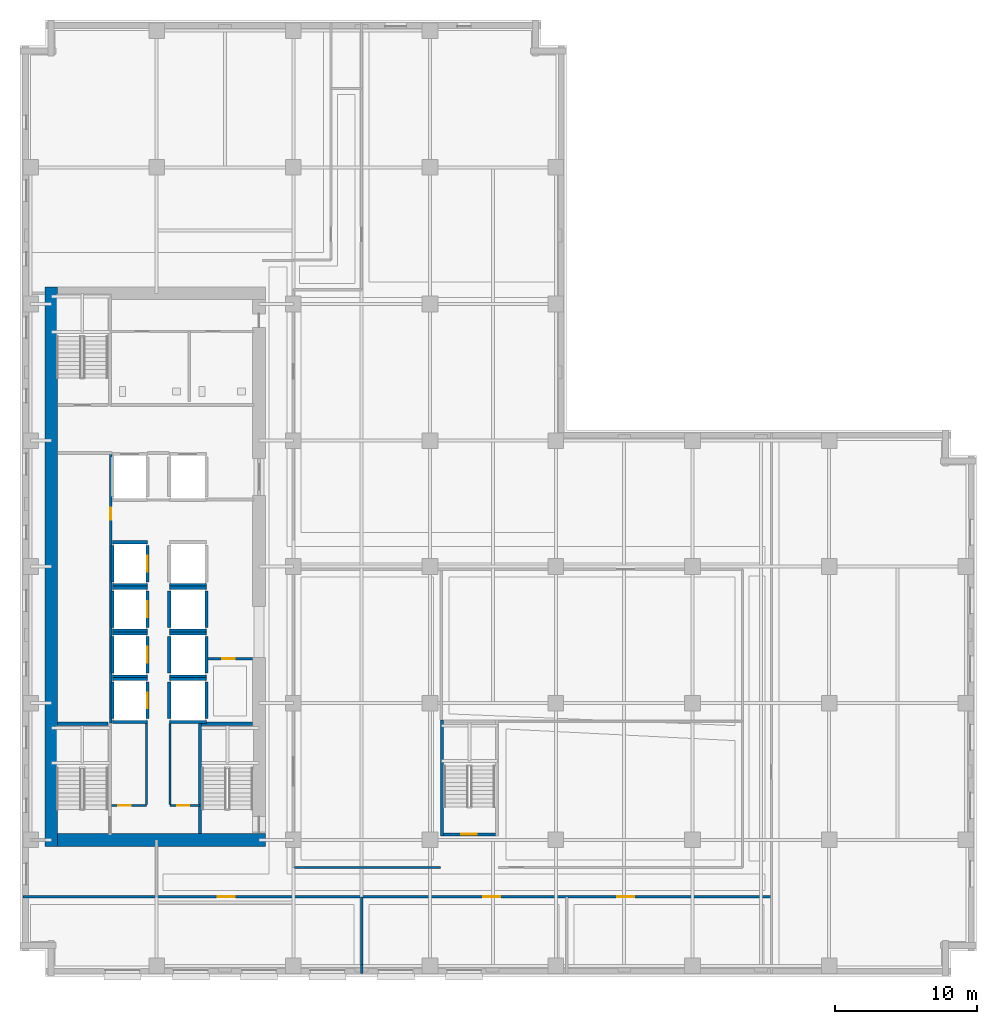
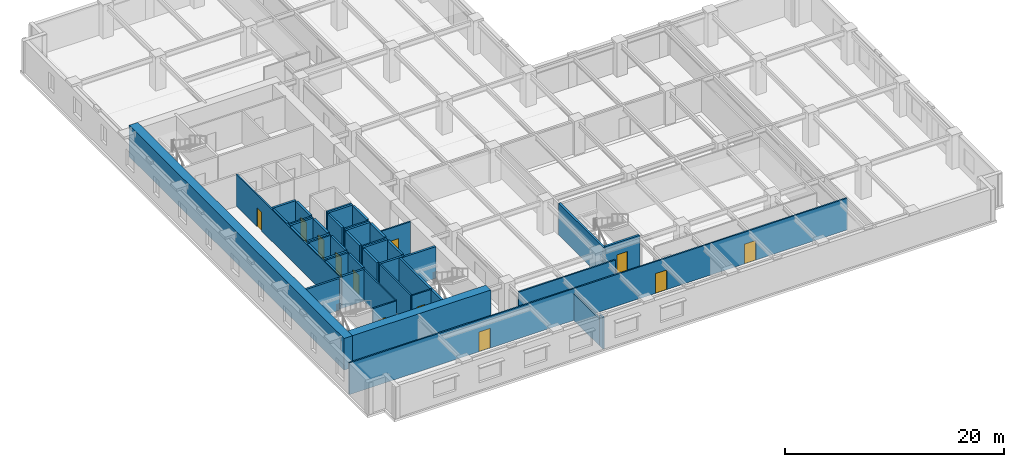
# One storey, part 4 of 14: 46 walls, 12 doors, 12 openings.
"""IFC4 building model written with IfcOpenShell, lengths in metres."""

from ifc_helpers import new_model, si_unit, direction, frame, frame_2d, origin, place, context, subcontext, project, spatial, rectangle, extrude, material, layer, layer_set, type_object, element, fill, save


model = new_model("IFC4")

# Units and contexts
model_context = context("Model", 3, precision=1e-05, world=origin(), true_north=direction((0.0, 1.0)))
body_context = subcontext(model_context, "Body", "Model", "MODEL_VIEW")
ifc_project = project(units=[si_unit("LENGTHUNIT", "METRE"), si_unit("AREAUNIT", "SQUARE_METRE"), si_unit("VOLUMEUNIT", "CUBIC_METRE"), si_unit("PLANEANGLEUNIT", "RADIAN"), si_unit("MASSUNIT", "GRAM", prefix="KILO")], contexts=[model_context])

# Site, building, storey
site_placement = place(None, origin())
site = spatial("IfcSite", under=ifc_project, at=site_placement, CompositionType="ELEMENT")
building_placement = place(site_placement, origin())
building = spatial("IfcBuilding", under=site, at=building_placement, Name="Norrvale University Quadrangle", CompositionType="ELEMENT")
storey_placement = place(building_placement, frame((0.0, 0.0, 73.60009765625)))
storey = spatial("IfcBuildingStorey", under=building, at=storey_placement, Name="L18", CompositionType="ELEMENT", Elevation=73.60009765625)

# Walls
ifc_material_1 = material(Name="Concrete C80/95", Category="concrete")
ifc_layer_1 = layer(ifc_material_1, 0.89990234375, Name="Concrete C80/95")
ifc_layer_set_1 = layer_set([ifc_layer_1], Name="Concrete C80/95")
wall_type_1 = type_object("IfcWallType", Name="Wall Core 900", PredefinedType="SHEAR", material=ifc_layer_set_1)
wall_1_placement = place(storey_placement, frame((2.64990234375, 9.60009765625, 0.0), z_axis=(0.0, 0.0, 1.0), x_axis=(1.0, 0.0, 0.0)))
element("IfcWall", 1, at=wall_1_placement, inside=storey, type_object=wall_type_1, Name="Tower Core Shear Wall L18-S", PredefinedType="SHEAR", context=body_context, shape_type="SweptSolid", body=[
    extrude(rectangle(XDim=14.60009765625, YDim=0.89990234375, at=frame_2d((7.300048828125, 0.0))), origin(), (0.0, 0.0, 1.0), 3.539794921875),
])
wall_2_placement = place(storey_placement, frame((2.199951171875, 9.14990234375, 0.0), z_axis=(0.0, 0.0, 1.0), x_axis=(0.0, 1.0, 0.0)))
element("IfcWall", 2, at=wall_2_placement, inside=storey, type_object=wall_type_1, Name="Tower Core Shear Wall L18-W", PredefinedType="SHEAR", context=body_context, shape_type="SweptSolid", body=[
    extrude(rectangle(XDim=39.300048828125, YDim=0.89990234375, at=frame_2d((19.64990234375, 0.0))), origin(), (0.0, 0.0, 1.0), 3.539794921875),
])

# Wall, opening, door
ifc_material_2 = material(Name="Fire-Rated Gypsum Stud Partition")
ifc_layer_2 = layer(ifc_material_2, 0.14990234375, Name="Fire-Rated Gypsum Stud Partition")
ifc_layer_set_2 = layer_set([ifc_layer_2], Name="Fire-Rated Gypsum Stud Partition")
wall_type_2 = type_object("IfcWallType", Name="Wall Gypsum Corridor 150", PredefinedType="PARTITIONING", material=ifc_layer_set_2)
wall_3_placement = place(storey_placement, frame((6.419921875, 12.02001953125, 0.0), z_axis=(0.0, 0.0, 1.0), x_axis=(1.0, 0.0, 0.0)))
wall_3 = element("IfcWall", 3, at=wall_3_placement, inside=storey, type_object=wall_type_2, Name="Interior Partition WL-L18-SC-NL", PredefinedType="PARTITIONING", context=body_context, shape_type="SweptSolid", body=[
    extrude(rectangle(XDim=2.47998046875, YDim=0.14990234375, at=frame_2d((1.239990234375, 0.0))), origin(), (0.0, 0.0, 1.0), 3.539794921875),
])
opening_1_placement = place(wall_3_placement, frame((0.5, 0.0, 0.0)))
opening_1 = element("IfcOpeningElement", 4, at=opening_1_placement, cuts=wall_3, Name="Opening D10", PredefinedType="OPENING", context=body_context, shape_type="SweptSolid", body=[
    extrude(rectangle(XDim=0.85009765625, YDim=2.10009765625, at=frame_2d((0.425048828125, 1.050048828125))), frame((0.0, 0.0869140625, 0.0), z_axis=(0.0, -1.0, 0.0), x_axis=(1.0, 0.0, 0.0)), (0.0, 0.0, 1.0), 0.173828125),
])
ifc_material_3 = material(Name="Hollow Steel 350W Riser Fire Door", Category="steel")
door_type_1 = type_object("IfcDoorType", Name="Door Riser 850x2100", OperationType="NOTDEFINED", PredefinedType="DOOR", material=ifc_material_3)
door_1_placement = place(opening_1_placement, origin())
door_1 = element("IfcDoor", 5, at=door_1_placement, inside=storey, type_object=door_type_1, Name="Door Riser 850x2100 DR-L18-ELEC", OperationType="SINGLE_SWING_LEFT", OverallHeight=2.10009765625, OverallWidth=0.85009765625, PredefinedType="DOOR", context=body_context, shape_type="SweptSolid", body=[
    extrude(rectangle(XDim=0.85009765625, YDim=2.10009765625, at=frame_2d((0.425048828125, 1.050048828125))), frame((0.0, 0.02490234375, 0.0), z_axis=(0.0, -1.0, 0.0), x_axis=(1.0, 0.0, 0.0)), (0.0, 0.0, 1.0), 0.050048828125),
])
fill(opening_1, door_1)

wall_4_placement = place(storey_placement, frame((10.550048828125, 12.02001953125, 0.0), z_axis=(0.0, 0.0, 1.0), x_axis=(1.0, 0.0, 0.0)))
wall_4 = element("IfcWall", 6, at=wall_4_placement, inside=storey, type_object=wall_type_2, Name="Interior Partition WL-L18-SC-NR", PredefinedType="PARTITIONING", context=body_context, shape_type="SweptSolid", body=[
    extrude(rectangle(XDim=2.079833984375, YDim=0.14990234375, at=frame_2d((1.0400390625, 0.0))), origin(), (0.0, 0.0, 1.0), 3.539794921875),
])
opening_2_placement = place(wall_4_placement, frame((0.5, 0.0, 0.0)))
opening_2 = element("IfcOpeningElement", 7, at=opening_2_placement, cuts=wall_4, Name="Opening D10", PredefinedType="OPENING", context=body_context, shape_type="SweptSolid", body=[
    extrude(rectangle(XDim=0.85009765625, YDim=2.10009765625, at=frame_2d((0.425048828125, 1.050048828125))), frame((0.0, 0.0869140625, 0.0), z_axis=(0.0, -1.0, 0.0), x_axis=(1.0, 0.0, 0.0)), (0.0, 0.0, 1.0), 0.173828125),
])
door_2_placement = place(opening_2_placement, origin())
door_2 = element("IfcDoor", 8, at=door_2_placement, inside=storey, type_object=door_type_1, Name="Door Riser 850x2100 DR-L18-IDF", OperationType="SINGLE_SWING_RIGHT", OverallHeight=2.10009765625, OverallWidth=0.85009765625, PredefinedType="DOOR", context=body_context, shape_type="SweptSolid", body=[
    extrude(rectangle(XDim=0.85009765625, YDim=2.10009765625, at=frame_2d((0.425048828125, 1.050048828125))), frame((0.0, 0.02490234375, 0.0), z_axis=(0.0, -1.0, 0.0), x_axis=(1.0, 0.0, 0.0)), (0.0, 0.0, 1.0), 0.050048828125),
])
fill(opening_2, door_2)

# Walls
for number, where, z_axis, x_axis, name in (
    (9, (8.89990234375, 12.094970703125, 0.0), (0.0, 0.0, 1.0), (0.0, 1.0, 0.0), "Interior Partition WL-L18-SC-WL"),
    (10, (10.550048828125, 12.094970703125, 0.0), (0.0, 0.0, 1.0), (0.0, 1.0, 0.0), "Interior Partition WL-L18-SC-WR"),
):
    element("IfcWall", number, at=place(storey_placement, frame(where, z_axis=z_axis, x_axis=x_axis)), inside=storey, type_object=wall_type_2, Name=name, PredefinedType="PARTITIONING", context=body_context, shape_type="SweptSolid", body=[
        extrude(rectangle(XDim=5.679931640625, YDim=0.14990234375, at=frame_2d((2.83984375, 0.0))), origin(), (0.0, 0.0, 1.0), 3.539794921875),
    ])

# Wall, opening, door
wall_5_placement = place(storey_placement, frame((13.22509765625, 22.320068359375, 0.0), z_axis=(0.0, 0.0, 1.0), x_axis=(1.0, 0.0, 0.0)))
wall_5 = element("IfcWall", 11, at=wall_5_placement, inside=storey, type_object=wall_type_2, Name="Interior Partition WL-L18-JAN-N", PredefinedType="PARTITIONING", context=body_context, shape_type="SweptSolid", body=[
    extrude(rectangle(XDim=3.119873046875, YDim=0.14990234375, at=frame_2d((1.56005859375, 0.0))), origin(), (0.0, 0.0, 1.0), 3.539794921875),
])
opening_3_placement = place(wall_5_placement, frame((1.0, 0.0, 0.0)))
opening_3 = element("IfcOpeningElement", 12, at=opening_3_placement, cuts=wall_5, Name="Opening D10", PredefinedType="OPENING", context=body_context, shape_type="SweptSolid", body=[
    extrude(rectangle(XDim=0.85009765625, YDim=2.10009765625, at=frame_2d((0.425048828125, 1.050048828125))), frame((0.0, 0.0869140625, 0.0), z_axis=(0.0, -1.0, 0.0), x_axis=(1.0, 0.0, 0.0)), (0.0, 0.0, 1.0), 0.173828125),
])
door_3_placement = place(opening_3_placement, origin())
door_3 = element("IfcDoor", 13, at=door_3_placement, inside=storey, type_object=door_type_1, Name="Door Riser 850x2100 DR-L18-JAN", OperationType="SINGLE_SWING_LEFT", OverallHeight=2.10009765625, OverallWidth=0.85009765625, PredefinedType="DOOR", context=body_context, shape_type="SweptSolid", body=[
    extrude(rectangle(XDim=0.85009765625, YDim=2.10009765625, at=frame_2d((0.425048828125, 1.050048828125))), frame((0.0, 0.02490234375, 0.0), z_axis=(0.0, -1.0, 0.0), x_axis=(1.0, 0.0, 0.0)), (0.0, 0.0, 1.0), 0.050048828125),
])
fill(opening_3, door_3)

wall_6_placement = place(storey_placement, frame((6.3798828125, 17.800048828125, 0.0), z_axis=(0.0, 0.0, 1.0), x_axis=(0.0, 1.0, 0.0)))
wall_6 = element("IfcWall", 14, at=wall_6_placement, inside=storey, type_object=wall_type_2, Name="Interior Partition WL-L18-WME-E", PredefinedType="PARTITIONING", context=body_context, shape_type="SweptSolid", body=[
    extrude(rectangle(XDim=18.97998046875, YDim=0.14990234375, at=frame_2d((9.489990234375, 0.0))), origin(), (0.0, 0.0, 1.0), 3.539794921875),
])
opening_4_placement = place(wall_6_placement, frame((14.300048828125, 0.0, 0.0)))
opening_4 = element("IfcOpeningElement", 15, at=opening_4_placement, cuts=wall_6, Name="Opening D10", PredefinedType="OPENING", context=body_context, shape_type="SweptSolid", body=[
    extrude(rectangle(XDim=0.85009765625, YDim=2.10009765625, at=frame_2d((0.425048828125, 1.050048828125))), frame((0.0, 0.0869140625, 0.0), z_axis=(0.0, -1.0, 0.0), x_axis=(1.0, 0.0, 0.0)), (0.0, 0.0, 1.0), 0.173828125),
])
door_4_placement = place(opening_4_placement, origin())
door_4 = element("IfcDoor", 16, at=door_4_placement, inside=storey, type_object=door_type_1, Name="Door Riser 850x2100 DR-L18-WME", OperationType="SINGLE_SWING_LEFT", OverallHeight=2.10009765625, OverallWidth=0.85009765625, PredefinedType="DOOR", context=body_context, shape_type="SweptSolid", body=[
    extrude(rectangle(XDim=0.85009765625, YDim=2.10009765625, at=frame_2d((0.425048828125, 1.050048828125))), frame((0.0, 0.02490234375, 0.0), z_axis=(0.0, -1.0, 0.0), x_axis=(1.0, 0.0, 0.0)), (0.0, 0.0, 1.0), 0.050048828125),
])
fill(opening_4, door_4)

# Wall, openings, doors
wall_7_placement = place(storey_placement, frame((0.219970703125, 5.60009765625, 0.0), z_axis=(0.0, 0.0, 1.0), x_axis=(1.0, 0.0, 0.0)))
wall_7 = element("IfcWall", 17, at=wall_7_placement, inside=storey, type_object=wall_type_2, Name="Interior Partition WL-L18-SCW", PredefinedType="PARTITIONING", context=body_context, shape_type="SweptSolid", body=[
    extrude(rectangle(XDim=52.580078125, YDim=0.14990234375, at=frame_2d((26.2900390625, 0.0))), origin(), (0.0, 0.0, 1.0), 3.539794921875),
])
opening_5_placement = place(wall_7_placement, frame((13.679931640625, 0.0, 0.0)))
opening_5 = element("IfcOpeningElement", 18, at=opening_5_placement, cuts=wall_7, Name="Opening D05", PredefinedType="OPENING", context=body_context, shape_type="SweptSolid", body=[
    extrude(rectangle(XDim=1.199951171875, YDim=2.199951171875, at=frame_2d((0.60009765625, 1.10009765625))), frame((0.0, 0.0869140625, 0.0), z_axis=(0.0, -1.0, 0.0), x_axis=(1.0, 0.0, 0.0)), (0.0, 0.0, 1.0), 0.173828125),
])
opening_6_placement = place(wall_7_placement, frame((32.330078125, 0.0, 0.0)))
opening_6 = element("IfcOpeningElement", 19, at=opening_6_placement, cuts=wall_7, Name="Opening D05", PredefinedType="OPENING", context=body_context, shape_type="SweptSolid", body=[
    extrude(rectangle(XDim=1.199951171875, YDim=2.199951171875, at=frame_2d((0.60009765625, 1.10009765625))), frame((0.0, 0.0869140625, 0.0), z_axis=(0.0, -1.0, 0.0), x_axis=(1.0, 0.0, 0.0)), (0.0, 0.0, 1.0), 0.173828125),
])
opening_7_placement = place(wall_7_placement, frame((41.72998046875, 0.0, 0.0)))
opening_7 = element("IfcOpeningElement", 20, at=opening_7_placement, cuts=wall_7, Name="Opening D05", PredefinedType="OPENING", context=body_context, shape_type="SweptSolid", body=[
    extrude(rectangle(XDim=1.199951171875, YDim=2.199951171875, at=frame_2d((0.60009765625, 1.10009765625))), frame((0.0, 0.0869140625, 0.0), z_axis=(0.0, -1.0, 0.0), x_axis=(1.0, 0.0, 0.0)), (0.0, 0.0, 1.0), 0.173828125),
])
ifc_material_4 = material(Name="Acoustic Oak Classroom Door", Category="wood")
door_type_2 = type_object("IfcDoorType", Name="Door Classroom 1200x2200", OperationType="NOTDEFINED", PredefinedType="DOOR", material=ifc_material_4)
door_5_placement = place(opening_5_placement, origin())
door_5 = element("IfcDoor", 21, at=door_5_placement, inside=storey, type_object=door_type_2, Name="Door Classroom 1200x2200 DR-L18-S01", OperationType="SINGLE_SWING_LEFT", OverallHeight=2.199951171875, OverallWidth=1.199951171875, PredefinedType="DOOR", context=body_context, shape_type="SweptSolid", body=[
    extrude(rectangle(XDim=1.199951171875, YDim=2.199951171875, at=frame_2d((0.60009765625, 1.10009765625))), frame((0.0, 0.02490234375, 0.0), z_axis=(0.0, -1.0, 0.0), x_axis=(1.0, 0.0, 0.0)), (0.0, 0.0, 1.0), 0.050048828125),
])
fill(opening_5, door_5)
door_6_placement = place(opening_6_placement, origin())
door_6 = element("IfcDoor", 22, at=door_6_placement, inside=storey, type_object=door_type_2, Name="Door Classroom 1200x2200 DR-L18-S02", OperationType="SINGLE_SWING_RIGHT", OverallHeight=2.199951171875, OverallWidth=1.199951171875, PredefinedType="DOOR", context=body_context, shape_type="SweptSolid", body=[
    extrude(rectangle(XDim=1.199951171875, YDim=2.199951171875, at=frame_2d((0.60009765625, 1.10009765625))), frame((0.0, 0.02490234375, 0.0), z_axis=(0.0, -1.0, 0.0), x_axis=(1.0, 0.0, 0.0)), (0.0, 0.0, 1.0), 0.050048828125),
])
fill(opening_6, door_6)
door_7_placement = place(opening_7_placement, origin())
door_7 = element("IfcDoor", 23, at=door_7_placement, inside=storey, type_object=door_type_2, Name="Door Classroom 1200x2200 DR-L18-S03", OperationType="SINGLE_SWING_LEFT", OverallHeight=2.199951171875, OverallWidth=1.199951171875, PredefinedType="DOOR", context=body_context, shape_type="SweptSolid", body=[
    extrude(rectangle(XDim=1.199951171875, YDim=2.199951171875, at=frame_2d((0.60009765625, 1.10009765625))), frame((0.0, 0.02490234375, 0.0), z_axis=(0.0, -1.0, 0.0), x_axis=(1.0, 0.0, 0.0)), (0.0, 0.0, 1.0), 0.050048828125),
])
fill(opening_7, door_7)

# Walls
wall_8_placement = place(storey_placement, frame((19.280029296875, 7.64990234375, 0.0), z_axis=(0.0, 0.0, 1.0), x_axis=(1.0, 0.0, 0.0)))
element("IfcWall", 24, at=wall_8_placement, inside=storey, type_object=wall_type_2, Name="Interior Partition WL-L18-ISLS1", PredefinedType="PARTITIONING", context=body_context, shape_type="SweptSolid", body=[
    extrude(rectangle(XDim=10.244873046875, YDim=0.14990234375, at=frame_2d((5.12255859375, 0.0))), origin(), (0.0, 0.0, 1.0), 3.539794921875),
])
ifc_material_5 = material(Name="Sanitary Chase Gypsum Partition")
ifc_layer_3 = layer(ifc_material_5, 0.1650390625, Name="Sanitary Chase Gypsum Partition")
ifc_layer_set_3 = layer_set([ifc_layer_3], Name="Sanitary Chase Gypsum Partition")
wall_type_3 = type_object("IfcWallType", Name="Wall Gypsum Sanitary 165", PredefinedType="PLUMBINGWALL", material=ifc_layer_set_3)
wall_9_placement = place(storey_placement, frame((24.0, 0.219970703125, 0.0), z_axis=(0.0, 0.0, 1.0), x_axis=(0.0, 1.0, 0.0)))
element("IfcWall", 25, at=wall_9_placement, inside=storey, type_object=wall_type_3, Name="Interior Partition WL-L18-SP01", PredefinedType="PLUMBINGWALL", context=body_context, shape_type="SweptSolid", body=[
    extrude(rectangle(XDim=0.635986328125, YDim=0.1650390625, at=frame_2d((0.31787109375, 0.0))), origin(), (0.0, 0.0, 1.0), 3.539794921875),
])
wall_10_placement = place(storey_placement, frame((24.0, 0.85595703125, 0.0), z_axis=(0.0, 0.0, 1.0), x_axis=(0.0, 1.0, 0.0)))
element("IfcWall", 26, at=wall_10_placement, inside=storey, type_object=wall_type_3, Name="Interior Partition WL-L18-SP01-B2", PredefinedType="PLUMBINGWALL", context=body_context, shape_type="SweptSolid", body=[
    extrude(rectangle(XDim=4.744140625, YDim=0.1650390625, at=frame_2d((2.3720703125, 0.0))), origin(), (0.0, 0.0, 1.0), 3.0068359375),
])
ifc_material_6 = material(Name="Concrete Blockwork 20 MPa Fire Shaft", Category="masonry")
ifc_layer_4 = layer(ifc_material_6, 0.219970703125, Name="Concrete Blockwork 20 MPa Fire Shaft")
ifc_layer_set_4 = layer_set([ifc_layer_4], Name="Concrete Blockwork 20 MPa Fire Shaft")
wall_type_4 = type_object("IfcWallType", Name="Wall Shaft 220", PredefinedType="SOLIDWALL", material=ifc_layer_set_4)
wall_11_placement = place(storey_placement, frame((2.64990234375, 17.760009765625, 0.0), z_axis=(0.0, 0.0, 1.0), x_axis=(1.0, 0.0, 0.0)))
element("IfcWall", 27, at=wall_11_placement, inside=storey, type_object=wall_type_4, Name="Stair ST-01 North Shaft Wall L18", PredefinedType="SOLIDWALL", context=body_context, shape_type="SweptSolid", body=[
    extrude(rectangle(XDim=3.550048828125, YDim=0.219970703125, at=frame_2d((1.77490234375, 0.0))), origin(), (0.0, 0.0, 1.0), 3.539794921875),
])
wall_12_placement = place(storey_placement, frame((12.639892578125, 10.050048828125, 0.0), z_axis=(0.0, 0.0, 1.0), x_axis=(0.0, 1.0, 0.0)))
element("IfcWall", 28, at=wall_12_placement, inside=storey, type_object=wall_type_4, Name="Stair ST-03 West Shaft Wall L18", PredefinedType="SOLIDWALL", context=body_context, shape_type="SweptSolid", body=[
    extrude(rectangle(XDim=7.7099609375, YDim=0.219970703125, at=frame_2d((3.85498046875, 0.0))), origin(), (0.0, 0.0, 1.0), 3.539794921875),
])
wall_13_placement = place(storey_placement, frame((12.75, 17.760009765625, 0.0), z_axis=(0.0, 0.0, 1.0), x_axis=(1.0, 0.0, 0.0)))
element("IfcWall", 29, at=wall_13_placement, inside=storey, type_object=wall_type_4, Name="Stair ST-03 North Shaft Wall L18", PredefinedType="SOLIDWALL", context=body_context, shape_type="SweptSolid", body=[
    extrude(rectangle(XDim=3.60009765625, YDim=0.219970703125, at=frame_2d((1.800048828125, 0.0))), origin(), (0.0, 0.0, 1.0), 3.539794921875),
])

# Wall, opening, door
wall_14_placement = place(storey_placement, frame((29.75, 9.989990234375, 0.0), z_axis=(0.0, 0.0, 1.0), x_axis=(1.0, 0.0, 0.0)))
wall_14 = element("IfcWall", 30, at=wall_14_placement, inside=storey, type_object=wall_type_4, Name="Stair ST-04 South Shaft Wall L18", PredefinedType="SOLIDWALL", context=body_context, shape_type="SweptSolid", body=[
    extrude(rectangle(XDim=3.64990234375, YDim=0.219970703125, at=frame_2d((1.824951171875, 0.0))), origin(), (0.0, 0.0, 1.0), 3.539794921875),
])
opening_8_placement = place(wall_14_placement, frame((1.239990234375, 0.0, 0.0)))
opening_8 = element("IfcOpeningElement", 31, at=opening_8_placement, cuts=wall_14, Name="Opening D02", PredefinedType="OPENING", context=body_context, shape_type="SweptSolid", body=[
    extrude(rectangle(XDim=1.10009765625, YDim=2.199951171875, at=frame_2d((0.550048828125, 1.10009765625))), frame((0.0, 0.1220703125, 0.0), z_axis=(0.0, -1.0, 0.0), x_axis=(1.0, 0.0, 0.0)), (0.0, 0.0, 1.0), 0.243896484375),
])
ifc_material_7 = material(Name="Hollow Steel 350W Fire Door", Category="steel")
door_type_3 = type_object("IfcDoorType", Name="Door Stair Exit 1100x2200", OperationType="NOTDEFINED", PredefinedType="DOOR", material=ifc_material_7)
door_8_placement = place(opening_8_placement, origin())
door_8 = element("IfcDoor", 32, at=door_8_placement, inside=storey, type_object=door_type_3, Name="Door Stair Exit 1100x2200 DR-L18-ST04", OperationType="SINGLE_SWING_LEFT", OverallHeight=2.199951171875, OverallWidth=1.10009765625, PredefinedType="DOOR", context=body_context, shape_type="SweptSolid", body=[
    extrude(rectangle(XDim=1.10009765625, YDim=2.199951171875, at=frame_2d((0.550048828125, 1.10009765625))), frame((0.0, 0.02490234375, 0.0), z_axis=(0.0, -1.0, 0.0), x_axis=(1.0, 0.0, 0.0)), (0.0, 0.0, 1.0), 0.050048828125),
])
fill(opening_8, door_8)

# Walls
wall_15_placement = place(storey_placement, frame((29.639892578125, 9.8798828125, 0.0), z_axis=(0.0, 0.0, 1.0), x_axis=(0.0, 1.0, 0.0)))
element("IfcWall", 33, at=wall_15_placement, inside=storey, type_object=wall_type_4, Name="Stair ST-04 West Shaft Wall L18", PredefinedType="SOLIDWALL", context=body_context, shape_type="SweptSolid", body=[
    extrude(rectangle(XDim=8.14013671875, YDim=0.219970703125, at=frame_2d((4.070068359375, 0.0))), origin(), (0.0, 0.0, 1.0), 3.539794921875),
])
wall_16_placement = place(storey_placement, frame((6.489990234375, 18.110107421875, 0.0), z_axis=(0.0, 0.0, 1.0), x_axis=(0.0, 1.0, 0.0)))
element("IfcWall", 34, at=wall_16_placement, inside=storey, type_object=wall_type_4, Name="Hoistway PL-01 West Wall L18", PredefinedType="SOLIDWALL", context=body_context, shape_type="SweptSolid", body=[
    extrude(rectangle(XDim=2.579833984375, YDim=0.219970703125, at=frame_2d((1.2900390625, 0.0))), origin(), (0.0, 0.0, 1.0), 3.539794921875),
])

# Wall, opening, door
wall_17_placement = place(storey_placement, frame((8.9599609375, 18.110107421875, 0.0), z_axis=(0.0, 0.0, 1.0), x_axis=(0.0, 1.0, 0.0)))
wall_17 = element("IfcWall", 35, at=wall_17_placement, inside=storey, type_object=wall_type_4, Name="Hoistway PL-01 East Wall L18", PredefinedType="SOLIDWALL", context=body_context, shape_type="SweptSolid", body=[
    extrude(rectangle(XDim=2.579833984375, YDim=0.219970703125, at=frame_2d((1.2900390625, 0.0))), origin(), (0.0, 0.0, 1.0), 3.539794921875),
])
opening_9_placement = place(wall_17_placement, frame((0.739990234375, 0.0, 0.0)))
opening_9 = element("IfcOpeningElement", 36, at=opening_9_placement, cuts=wall_17, Name="Opening LD1", PredefinedType="OPENING", context=body_context, shape_type="SweptSolid", body=[
    extrude(rectangle(XDim=1.10009765625, YDim=2.199951171875, at=frame_2d((0.550048828125, 1.10009765625))), frame((0.0, 0.1220703125, 0.0), z_axis=(0.0, -1.0, 0.0), x_axis=(1.0, 0.0, 0.0)), (0.0, 0.0, 1.0), 0.243896484375),
])
ifc_material_8 = material(Name="Stainless Steel 316L Lift Landing Door", Category="steel")
door_type_4 = type_object("IfcDoorType", Name="Door Lift Landing 1100x2200", OperationType="DOUBLE_DOOR_SLIDING", PredefinedType="DOOR", material=ifc_material_8)
door_9_placement = place(opening_9_placement, origin())
door_9 = element("IfcDoor", 37, at=door_9_placement, inside=storey, type_object=door_type_4, Name="Elevator Landing Door DR-L18-PL-01", OperationType="DOUBLE_DOOR_SLIDING", OverallHeight=2.199951171875, OverallWidth=1.10009765625, PredefinedType="DOOR", context=body_context, shape_type="SweptSolid", body=[
    extrude(rectangle(XDim=1.10009765625, YDim=2.199951171875, at=frame_2d((0.550048828125, 1.10009765625))), frame((0.0, 0.02490234375, 0.0), z_axis=(0.0, -1.0, 0.0), x_axis=(1.0, 0.0, 0.0)), (0.0, 0.0, 1.0), 0.050048828125),
])
fill(opening_9, door_9)

# Walls
for number, where, z_axis, x_axis, name in (
    (38, (6.489990234375, 17.889892578125, 0.0), (0.0, 0.0, 1.0), (1.0, 0.0, 0.0), "Hoistway PL-01 South Wall L18"),
    (39, (6.489990234375, 20.909912109375, 0.0), (0.0, 0.0, 1.0), (1.0, 0.0, 0.0), "Hoistway PL-01 North Wall L18"),
):
    element("IfcWall", number, at=place(storey_placement, frame(where, z_axis=z_axis, x_axis=x_axis)), inside=storey, type_object=wall_type_4, Name=name, PredefinedType="SOLIDWALL", context=body_context, shape_type="SweptSolid", body=[
        extrude(rectangle(XDim=2.469970703125, YDim=0.219970703125, at=frame_2d((1.23486328125, 0.0))), origin(), (0.0, 0.0, 1.0), 3.539794921875),
    ])
wall_18_placement = place(storey_placement, frame((6.489990234375, 21.31005859375, 0.0), z_axis=(0.0, 0.0, 1.0), x_axis=(0.0, 1.0, 0.0)))
element("IfcWall", 40, at=wall_18_placement, inside=storey, type_object=wall_type_4, Name="Hoistway PL-02 West Wall L18", PredefinedType="SOLIDWALL", context=body_context, shape_type="SweptSolid", body=[
    extrude(rectangle(XDim=2.579833984375, YDim=0.219970703125, at=frame_2d((1.2900390625, 0.0))), origin(), (0.0, 0.0, 1.0), 3.539794921875),
])

# Wall, opening, door
wall_19_placement = place(storey_placement, frame((8.9599609375, 21.31005859375, 0.0), z_axis=(0.0, 0.0, 1.0), x_axis=(0.0, 1.0, 0.0)))
wall_19 = element("IfcWall", 41, at=wall_19_placement, inside=storey, type_object=wall_type_4, Name="Hoistway PL-02 East Wall L18", PredefinedType="SOLIDWALL", context=body_context, shape_type="SweptSolid", body=[
    extrude(rectangle(XDim=2.579833984375, YDim=0.219970703125, at=frame_2d((1.2900390625, 0.0))), origin(), (0.0, 0.0, 1.0), 3.539794921875),
])
opening_10_placement = place(wall_19_placement, frame((0.739990234375, 0.0, 0.0)))
opening_10 = element("IfcOpeningElement", 42, at=opening_10_placement, cuts=wall_19, Name="Opening LD1", PredefinedType="OPENING", context=body_context, shape_type="SweptSolid", body=[
    extrude(rectangle(XDim=1.10009765625, YDim=2.199951171875, at=frame_2d((0.550048828125, 1.10009765625))), frame((0.0, 0.1220703125, 0.0), z_axis=(0.0, -1.0, 0.0), x_axis=(1.0, 0.0, 0.0)), (0.0, 0.0, 1.0), 0.243896484375),
])
door_10_placement = place(opening_10_placement, origin())
door_10 = element("IfcDoor", 43, at=door_10_placement, inside=storey, type_object=door_type_4, Name="Elevator Landing Door DR-L18-PL-02", OperationType="DOUBLE_DOOR_SLIDING", OverallHeight=2.199951171875, OverallWidth=1.10009765625, PredefinedType="DOOR", context=body_context, shape_type="SweptSolid", body=[
    extrude(rectangle(XDim=1.10009765625, YDim=2.199951171875, at=frame_2d((0.550048828125, 1.10009765625))), frame((0.0, 0.02490234375, 0.0), z_axis=(0.0, -1.0, 0.0), x_axis=(1.0, 0.0, 0.0)), (0.0, 0.0, 1.0), 0.050048828125),
])
fill(opening_10, door_10)

# Walls
for number, where, z_axis, x_axis, name in (
    (44, (6.489990234375, 21.090087890625, 0.0), (0.0, 0.0, 1.0), (1.0, 0.0, 0.0), "Hoistway PL-02 South Wall L18"),
    (45, (6.489990234375, 24.110107421875, 0.0), (0.0, 0.0, 1.0), (1.0, 0.0, 0.0), "Hoistway PL-02 North Wall L18"),
):
    element("IfcWall", number, at=place(storey_placement, frame(where, z_axis=z_axis, x_axis=x_axis)), inside=storey, type_object=wall_type_4, Name=name, PredefinedType="SOLIDWALL", context=body_context, shape_type="SweptSolid", body=[
        extrude(rectangle(XDim=2.469970703125, YDim=0.219970703125, at=frame_2d((1.23486328125, 0.0))), origin(), (0.0, 0.0, 1.0), 3.539794921875),
    ])
wall_20_placement = place(storey_placement, frame((6.489990234375, 24.510009765625, 0.0), z_axis=(0.0, 0.0, 1.0), x_axis=(0.0, 1.0, 0.0)))
element("IfcWall", 46, at=wall_20_placement, inside=storey, type_object=wall_type_4, Name="Hoistway PL-03 West Wall L18", PredefinedType="SOLIDWALL", context=body_context, shape_type="SweptSolid", body=[
    extrude(rectangle(XDim=2.580078125, YDim=0.219970703125, at=frame_2d((1.2900390625, 0.0))), origin(), (0.0, 0.0, 1.0), 3.539794921875),
])

# Wall, opening, door
wall_21_placement = place(storey_placement, frame((8.9599609375, 24.510009765625, 0.0), z_axis=(0.0, 0.0, 1.0), x_axis=(0.0, 1.0, 0.0)))
wall_21 = element("IfcWall", 47, at=wall_21_placement, inside=storey, type_object=wall_type_4, Name="Hoistway PL-03 East Wall L18", PredefinedType="SOLIDWALL", context=body_context, shape_type="SweptSolid", body=[
    extrude(rectangle(XDim=2.580078125, YDim=0.219970703125, at=frame_2d((1.2900390625, 0.0))), origin(), (0.0, 0.0, 1.0), 3.539794921875),
])
opening_11_placement = place(wall_21_placement, frame((0.739990234375, 0.0, 0.0)))
opening_11 = element("IfcOpeningElement", 48, at=opening_11_placement, cuts=wall_21, Name="Opening LD1", PredefinedType="OPENING", context=body_context, shape_type="SweptSolid", body=[
    extrude(rectangle(XDim=1.10009765625, YDim=2.199951171875, at=frame_2d((0.550048828125, 1.10009765625))), frame((0.0, 0.1220703125, 0.0), z_axis=(0.0, -1.0, 0.0), x_axis=(1.0, 0.0, 0.0)), (0.0, 0.0, 1.0), 0.243896484375),
])
door_11_placement = place(opening_11_placement, origin())
door_11 = element("IfcDoor", 49, at=door_11_placement, inside=storey, type_object=door_type_4, Name="Elevator Landing Door DR-L18-PL-03", OperationType="DOUBLE_DOOR_SLIDING", OverallHeight=2.199951171875, OverallWidth=1.10009765625, PredefinedType="DOOR", context=body_context, shape_type="SweptSolid", body=[
    extrude(rectangle(XDim=1.10009765625, YDim=2.199951171875, at=frame_2d((0.550048828125, 1.10009765625))), frame((0.0, 0.02490234375, 0.0), z_axis=(0.0, -1.0, 0.0), x_axis=(1.0, 0.0, 0.0)), (0.0, 0.0, 1.0), 0.050048828125),
])
fill(opening_11, door_11)

# Walls
for number, where, z_axis, x_axis, name in (
    (50, (6.489990234375, 24.2900390625, 0.0), (0.0, 0.0, 1.0), (1.0, 0.0, 0.0), "Hoistway PL-03 South Wall L18"),
    (51, (6.489990234375, 27.31005859375, 0.0), (0.0, 0.0, 1.0), (1.0, 0.0, 0.0), "Hoistway PL-03 North Wall L18"),
):
    element("IfcWall", number, at=place(storey_placement, frame(where, z_axis=z_axis, x_axis=x_axis)), inside=storey, type_object=wall_type_4, Name=name, PredefinedType="SOLIDWALL", context=body_context, shape_type="SweptSolid", body=[
        extrude(rectangle(XDim=2.469970703125, YDim=0.219970703125, at=frame_2d((1.23486328125, 0.0))), origin(), (0.0, 0.0, 1.0), 3.539794921875),
    ])
wall_22_placement = place(storey_placement, frame((6.489990234375, 27.7099609375, 0.0), z_axis=(0.0, 0.0, 1.0), x_axis=(0.0, 1.0, 0.0)))
element("IfcWall", 52, at=wall_22_placement, inside=storey, type_object=wall_type_4, Name="Hoistway PL-04 West Wall L18", PredefinedType="SOLIDWALL", context=body_context, shape_type="SweptSolid", body=[
    extrude(rectangle(XDim=2.580078125, YDim=0.219970703125, at=frame_2d((1.2900390625, 0.0))), origin(), (0.0, 0.0, 1.0), 3.539794921875),
])

# Wall, opening, door
wall_23_placement = place(storey_placement, frame((8.9599609375, 27.7099609375, 0.0), z_axis=(0.0, 0.0, 1.0), x_axis=(0.0, 1.0, 0.0)))
wall_23 = element("IfcWall", 53, at=wall_23_placement, inside=storey, type_object=wall_type_4, Name="Hoistway PL-04 East Wall L18", PredefinedType="SOLIDWALL", context=body_context, shape_type="SweptSolid", body=[
    extrude(rectangle(XDim=2.580078125, YDim=0.219970703125, at=frame_2d((1.2900390625, 0.0))), origin(), (0.0, 0.0, 1.0), 3.539794921875),
])
opening_12_placement = place(wall_23_placement, frame((0.739990234375, 0.0, 0.0)))
opening_12 = element("IfcOpeningElement", 54, at=opening_12_placement, cuts=wall_23, Name="Opening LD1", PredefinedType="OPENING", context=body_context, shape_type="SweptSolid", body=[
    extrude(rectangle(XDim=1.10009765625, YDim=2.199951171875, at=frame_2d((0.550048828125, 1.10009765625))), frame((0.0, 0.1220703125, 0.0), z_axis=(0.0, -1.0, 0.0), x_axis=(1.0, 0.0, 0.0)), (0.0, 0.0, 1.0), 0.243896484375),
])
door_12_placement = place(opening_12_placement, origin())
door_12 = element("IfcDoor", 55, at=door_12_placement, inside=storey, type_object=door_type_4, Name="Elevator Landing Door DR-L18-PL-04", OperationType="DOUBLE_DOOR_SLIDING", OverallHeight=2.199951171875, OverallWidth=1.10009765625, PredefinedType="DOOR", context=body_context, shape_type="SweptSolid", body=[
    extrude(rectangle(XDim=1.10009765625, YDim=2.199951171875, at=frame_2d((0.550048828125, 1.10009765625))), frame((0.0, 0.02490234375, 0.0), z_axis=(0.0, -1.0, 0.0), x_axis=(1.0, 0.0, 0.0)), (0.0, 0.0, 1.0), 0.050048828125),
])
fill(opening_12, door_12)

# Walls
for number, where, z_axis, x_axis, name in (
    (56, (6.489990234375, 27.489990234375, 0.0), (0.0, 0.0, 1.0), (1.0, 0.0, 0.0), "Hoistway PL-04 South Wall L18"),
    (57, (6.489990234375, 30.510009765625, 0.0), (0.0, 0.0, 1.0), (1.0, 0.0, 0.0), "Hoistway PL-04 North Wall L18"),
):
    element("IfcWall", number, at=place(storey_placement, frame(where, z_axis=z_axis, x_axis=x_axis)), inside=storey, type_object=wall_type_4, Name=name, PredefinedType="SOLIDWALL", context=body_context, shape_type="SweptSolid", body=[
        extrude(rectangle(XDim=2.469970703125, YDim=0.219970703125, at=frame_2d((1.23486328125, 0.0))), origin(), (0.0, 0.0, 1.0), 3.539794921875),
    ])
for number, where, z_axis, x_axis, name in (
    (58, (10.489990234375, 18.110107421875, 0.0), (0.0, 0.0, 1.0), (0.0, 1.0, 0.0), "Hoistway PL-05 West Wall L18"),
    (59, (13.110107421875, 18.110107421875, 0.0), (0.0, 0.0, 1.0), (0.0, 1.0, 0.0), "Hoistway PL-05 East Wall L18"),
):
    element("IfcWall", number, at=place(storey_placement, frame(where, z_axis=z_axis, x_axis=x_axis)), inside=storey, type_object=wall_type_4, Name=name, PredefinedType="SOLIDWALL", context=body_context, shape_type="SweptSolid", body=[
        extrude(rectangle(XDim=2.579833984375, YDim=0.219970703125, at=frame_2d((1.2900390625, 0.0))), origin(), (0.0, 0.0, 1.0), 3.539794921875),
    ])
for number, where, z_axis, x_axis, name in (
    (60, (10.489990234375, 17.889892578125, 0.0), (0.0, 0.0, 1.0), (1.0, 0.0, 0.0), "Hoistway PL-05 South Wall L18"),
    (61, (10.489990234375, 20.909912109375, 0.0), (0.0, 0.0, 1.0), (1.0, 0.0, 0.0), "Hoistway PL-05 North Wall L18"),
):
    element("IfcWall", number, at=place(storey_placement, frame(where, z_axis=z_axis, x_axis=x_axis)), inside=storey, type_object=wall_type_4, Name=name, PredefinedType="SOLIDWALL", context=body_context, shape_type="SweptSolid", body=[
        extrude(rectangle(XDim=2.6201171875, YDim=0.219970703125, at=frame_2d((1.31005859375, 0.0))), origin(), (0.0, 0.0, 1.0), 3.539794921875),
    ])
for number, where, z_axis, x_axis, name in (
    (62, (10.489990234375, 21.31005859375, 0.0), (0.0, 0.0, 1.0), (0.0, 1.0, 0.0), "Hoistway PL-06 West Wall L18"),
    (63, (13.110107421875, 21.31005859375, 0.0), (0.0, 0.0, 1.0), (0.0, 1.0, 0.0), "Hoistway PL-06 East Wall L18"),
):
    element("IfcWall", number, at=place(storey_placement, frame(where, z_axis=z_axis, x_axis=x_axis)), inside=storey, type_object=wall_type_4, Name=name, PredefinedType="SOLIDWALL", context=body_context, shape_type="SweptSolid", body=[
        extrude(rectangle(XDim=2.579833984375, YDim=0.219970703125, at=frame_2d((1.2900390625, 0.0))), origin(), (0.0, 0.0, 1.0), 3.539794921875),
    ])
for number, where, z_axis, x_axis, name in (
    (64, (10.489990234375, 21.090087890625, 0.0), (0.0, 0.0, 1.0), (1.0, 0.0, 0.0), "Hoistway PL-06 South Wall L18"),
    (65, (10.489990234375, 24.110107421875, 0.0), (0.0, 0.0, 1.0), (1.0, 0.0, 0.0), "Hoistway PL-06 North Wall L18"),
):
    element("IfcWall", number, at=place(storey_placement, frame(where, z_axis=z_axis, x_axis=x_axis)), inside=storey, type_object=wall_type_4, Name=name, PredefinedType="SOLIDWALL", context=body_context, shape_type="SweptSolid", body=[
        extrude(rectangle(XDim=2.6201171875, YDim=0.219970703125, at=frame_2d((1.31005859375, 0.0))), origin(), (0.0, 0.0, 1.0), 3.539794921875),
    ])
for number, where, z_axis, x_axis, name in (
    (66, (10.489990234375, 24.510009765625, 0.0), (0.0, 0.0, 1.0), (0.0, 1.0, 0.0), "Hoistway PL-07 West Wall L18"),
    (67, (13.110107421875, 24.510009765625, 0.0), (0.0, 0.0, 1.0), (0.0, 1.0, 0.0), "Hoistway PL-07 East Wall L18"),
):
    element("IfcWall", number, at=place(storey_placement, frame(where, z_axis=z_axis, x_axis=x_axis)), inside=storey, type_object=wall_type_4, Name=name, PredefinedType="SOLIDWALL", context=body_context, shape_type="SweptSolid", body=[
        extrude(rectangle(XDim=2.580078125, YDim=0.219970703125, at=frame_2d((1.2900390625, 0.0))), origin(), (0.0, 0.0, 1.0), 3.539794921875),
    ])
for number, where, z_axis, x_axis, name in (
    (68, (10.489990234375, 24.2900390625, 0.0), (0.0, 0.0, 1.0), (1.0, 0.0, 0.0), "Hoistway PL-07 South Wall L18"),
    (69, (10.489990234375, 27.31005859375, 0.0), (0.0, 0.0, 1.0), (1.0, 0.0, 0.0), "Hoistway PL-07 North Wall L18"),
    (70, (10.489990234375, 27.489990234375, 0.0), (0.0, 0.0, 1.0), (1.0, 0.0, 0.0), "Hoistway PL-08 South Wall L18"),
):
    element("IfcWall", number, at=place(storey_placement, frame(where, z_axis=z_axis, x_axis=x_axis)), inside=storey, type_object=wall_type_4, Name=name, PredefinedType="SOLIDWALL", context=body_context, shape_type="SweptSolid", body=[
        extrude(rectangle(XDim=2.6201171875, YDim=0.219970703125, at=frame_2d((1.31005859375, 0.0))), origin(), (0.0, 0.0, 1.0), 3.539794921875),
    ])

save(model, "model.ifc")
